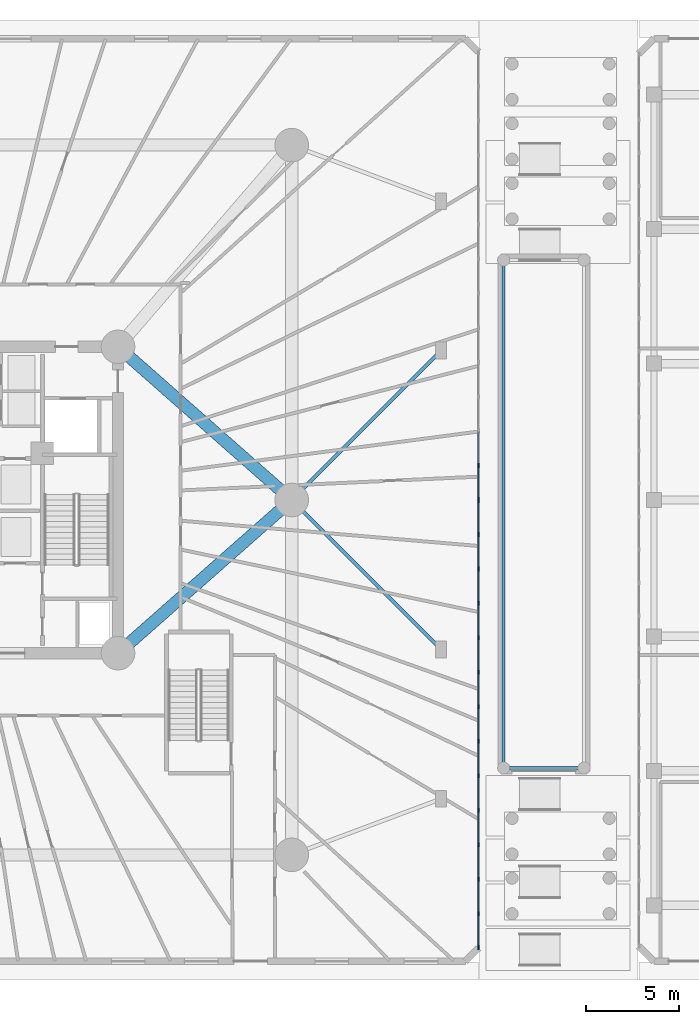
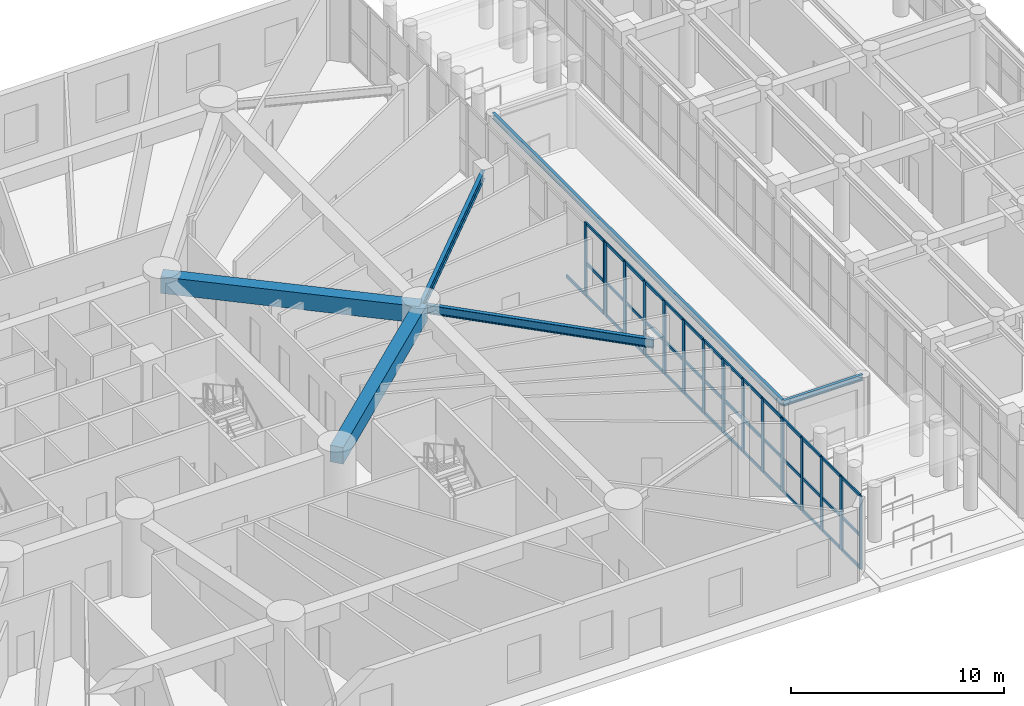
# One storey, part 2 of 30: 59 members, 6 beams, 2 elements without a shape of their own.
"""IFC4 building model written with IfcOpenShell, lengths in metres."""

from ifc_helpers import new_model, si_unit, direction, frame, origin, origin_with_axes, origin_2d, place, context, subcontext, project, spatial, rectangle, i_section, extrude, source, transform, mapped, material, layer, layer_set, material_profile, profile_set, type_object, element, aggregate, save


model = new_model("IFC4")

# Units and contexts
model_context = context("Model", 3, precision=1e-05, world=origin(), true_north=direction((0.0, 1.0)))
body_context = subcontext(model_context, "Body", "Model", "MODEL_VIEW")
ifc_project = project(units=[si_unit("LENGTHUNIT", "METRE"), si_unit("AREAUNIT", "SQUARE_METRE"), si_unit("VOLUMEUNIT", "CUBIC_METRE"), si_unit("PLANEANGLEUNIT", "RADIAN"), si_unit("MASSUNIT", "GRAM", prefix="KILO")], contexts=[model_context])

# Site, building, storey
site_placement = place(None, origin())
site = spatial("IfcSite", under=ifc_project, at=site_placement, CompositionType="ELEMENT")
building_placement = place(site_placement, origin())
building = spatial("IfcBuilding", under=site, at=building_placement, Name="Karkom Vertical University and Central Library", CompositionType="ELEMENT")
storey_placement = place(building_placement, origin())
storey = spatial("IfcBuildingStorey", under=building, at=storey_placement, Name="L00", CompositionType="ELEMENT", Elevation=0.0)

# Beams
ifc_material_1 = material(Name="Steel S355", Category="steel")
ifc_material_profile_1 = material_profile(ifc_material_1, i_section(OverallWidth=0.159912109375, OverallDepth=0.330078125, WebThickness=0.007568359375, FlangeThickness=0.011474609375, FilletRadius=0.01806640625, at=origin_2d()), Name="IPE 330")
ifc_profile_set_1 = profile_set([ifc_material_profile_1], Name="Steel S355")
beam_type_1 = type_object("IfcBeamType", Name="STR-BM-SB-IPE330", PredefinedType="BEAM", material=ifc_profile_set_1)
shared_shape_1 = source(origin_with_axes(), body_context, "Body", "SweptSolid", [
    extrude(i_section(OverallWidth=0.159912109375, OverallDepth=0.330078125, WebThickness=0.007568359375, FlangeThickness=0.011474609375, FilletRadius=0.01806640625, at=origin_2d()), origin(), (0.0, 0.0, 1.0), 4.300048828125),
])
beam_1_placement = place(storey_placement, frame((58.14990234375, 12.14990234375, 3.195068359375), z_axis=(1.0, 0.0, 0.0), x_axis=(0.0, 1.0, 0.0)))
element("IfcBeam", 1, at=beam_1_placement, inside=storey, type_object=beam_type_1, Name="Level 00 Ramp Pavilion Roof Beam 1", PredefinedType="BEAM", context=body_context, shape_type="MappedRepresentation", body=[
    mapped(shared_shape_1, transform((0.0, 0.0, 0.0), scale=1.0)),
])
shared_shape_2 = source(origin_with_axes(), body_context, "Body", "SweptSolid", [
    extrude(i_section(OverallWidth=0.159912109375, OverallDepth=0.330078125, WebThickness=0.007568359375, FlangeThickness=0.011474609375, FilletRadius=0.01806640625, at=origin_2d()), origin(), (0.0, 0.0, 1.0), 27.2001953125),
])
beam_2_placement = place(storey_placement, frame((58.14990234375, 39.35009765625, 3.195068359375), z_axis=(0.0, -1.0, 0.0), x_axis=(1.0, 0.0, 0.0)))
element("IfcBeam", 2, at=beam_2_placement, inside=storey, type_object=beam_type_1, Name="Level 00 Ramp Pavilion Roof Beam 4", PredefinedType="BEAM", context=body_context, shape_type="MappedRepresentation", body=[
    mapped(shared_shape_2, transform((0.0, 0.0, 0.0), scale=1.0)),
])
ifc_material_2 = material(Name="Concrete C50/60", Category="concrete")
ifc_material_profile_2 = material_profile(ifc_material_2, rectangle(XDim=0.64990234375, YDim=0.949951171875, at=origin_2d()), Name="RCG-650x950")
ifc_profile_set_2 = profile_set([ifc_material_profile_2], Name="Concrete C50/60")
beam_type_2 = type_object("IfcBeamType", Name="STR-BM-BG-1", PredefinedType="USERDEFINED", material=ifc_profile_set_2)
shared_shape_3 = source(origin_with_axes(), body_context, "Body", "SweptSolid", [
    extrude(rectangle(XDim=0.64990234375, YDim=0.949951171875, at=origin_2d()), origin(), (0.0, 0.0, 1.0), 12.398681640625),
])
for number, where, z_axis, x_axis, name in (
    (3, (46.800048828125, 26.5, 3.72509765625), (-0.75007685274, -0.661350674743, 0.0), (0.661350674743, -0.75007685274, 0.0), "Level 00 Podium Primary Girder 17"),
    (4, (46.800048828125, 26.5, 3.72509765625), (-0.75007685274, 0.661350674743, 0.0), (-0.661350674743, -0.75007685274, 0.0), "Level 00 Podium Primary Girder 18"),
):
    element("IfcBeam", number, at=place(storey_placement, frame(where, z_axis=z_axis, x_axis=x_axis)), inside=storey, type_object=beam_type_2, Name=name, ObjectType="GIRDER", PredefinedType="USERDEFINED", context=body_context, shape_type="MappedRepresentation", body=[
        mapped(shared_shape_3, transform((0.0, 0.0, 0.0), scale=1.0)),
    ])
ifc_material_profile_3 = material_profile(ifc_material_1, i_section(OverallWidth=0.199951171875, OverallDepth=0.5, WebThickness=0.01025390625, FlangeThickness=0.01611328125, FilletRadius=0.02099609375, at=origin_2d()), Name="IPE 500")
ifc_profile_set_3 = profile_set([ifc_material_profile_3], Name="Steel S355")
beam_type_3 = type_object("IfcBeamType", Name="STR-BM-SB-IPE500", PredefinedType="BEAM", material=ifc_profile_set_3)
shared_shape_4 = source(origin_with_axes(), body_context, "Body", "SweptSolid", [
    extrude(i_section(OverallWidth=0.199951171875, OverallDepth=0.5, WebThickness=0.01025390625, FlangeThickness=0.01611328125, FilletRadius=0.02099609375, at=origin_2d()), origin(), (0.0, 0.0, 1.0), 11.313720703125),
])
for number, where, z_axis, x_axis, name in (
    (5, (46.800048828125, 26.5, 3.949951171875), (0.707106781187, -0.707106781187, 0.0), (0.707106781187, 0.707106781187, 0.0), "Level 00 Arcade Tie Beam 2"),
    (6, (46.800048828125, 26.5, 3.949951171875), (0.707106781187, 0.707106781187, 0.0), (-0.707106781187, 0.707106781187, 0.0), "Level 00 Arcade Tie Beam 3"),
):
    element("IfcBeam", number, at=place(storey_placement, frame(where, z_axis=z_axis, x_axis=x_axis)), inside=storey, type_object=beam_type_3, Name=name, PredefinedType="BEAM", context=body_context, shape_type="MappedRepresentation", body=[
        mapped(shared_shape_4, transform((0.0, 0.0, 0.0), scale=1.0)),
    ])

# Curtain wall, members
ifc_material_3 = material(Name="Aluminium curtain-wall framing and low-E IGU", Category="aluminium")
ifc_layer = layer(ifc_material_3, 0.199951171875)
ifc_layer_set = layer_set([ifc_layer], Name="Aluminium curtain-wall framing and low-E IGU")
curtain_wall_type = type_object("IfcCurtainWallType", Name="ENV-CW-3", PredefinedType="USERDEFINED", material=ifc_layer_set)
curtain_wall_1_placement = place(storey_placement, origin())
curtain_wall_1 = element("IfcCurtainWall", 7, at=curtain_wall_1_placement, inside=storey, type_object=curtain_wall_type, Name="Level 00 CW-3 Curtain Wall L00-CW3-3-1", ObjectType="STICK MULLION GLAZING", PredefinedType="USERDEFINED")
ifc_material_4 = material(Name="Anodised Aluminium 6063-T6", Category="aluminium")
ifc_material_profile_4 = material_profile(ifc_material_4, rectangle(XDim=0.074951171875, YDim=0.219970703125, at=origin_2d()), Name="ALU-M75x220")
ifc_profile_set_4 = profile_set([ifc_material_profile_4], Name="Anodised Aluminium 6063-T6")
member_type_1 = type_object("IfcMemberType", Name="ENV-MEM-ALU-M75x220", PredefinedType="MULLION", material=ifc_profile_set_4)
shared_shape_5 = source(origin_with_axes(), body_context, "Body", "SweptSolid", [
    extrude(rectangle(XDim=0.074951171875, YDim=0.219970703125, at=origin_2d()), origin(), (0.0, 0.0, 1.0), 4.199951171875),
])
member_1_placement = place(storey_placement, frame((56.800048828125, 2.53759765625, 0.0), z_axis=(0.0, 0.0, 1.0), x_axis=(-1.0, 0.0, 0.0)))
member_1 = element("IfcMember", 8, at=member_1_placement, type_object=member_type_1, Name="CW-3 mullion 1", PredefinedType="MULLION", context=body_context, shape_type="MappedRepresentation", body=[
    mapped(shared_shape_5, transform((0.0, 0.0, 0.0), scale=1.0)),
])
member_2_placement = place(storey_placement, frame((56.800048828125, 4.34619140625, 0.0), z_axis=(0.0, 0.0, 1.0), x_axis=(-1.0, 0.0, 0.0)))
member_2 = element("IfcMember", 9, at=member_2_placement, type_object=member_type_1, Name="CW-3 mullion 2", PredefinedType="MULLION", context=body_context, shape_type="MappedRepresentation", body=[
    mapped(shared_shape_5, transform((0.0, 0.0, 0.0), scale=1.0)),
])
member_3_placement = place(storey_placement, frame((56.800048828125, 6.1923828125, 0.0), z_axis=(0.0, 0.0, 1.0), x_axis=(-1.0, 0.0, 0.0)))
member_3 = element("IfcMember", 10, at=member_3_placement, type_object=member_type_1, Name="CW-3 mullion 3", PredefinedType="MULLION", context=body_context, shape_type="MappedRepresentation", body=[
    mapped(shared_shape_5, transform((0.0, 0.0, 0.0), scale=1.0)),
])
member_4_placement = place(storey_placement, frame((56.800048828125, 8.03857421875, 0.0), z_axis=(0.0, 0.0, 1.0), x_axis=(-1.0, 0.0, 0.0)))
member_4 = element("IfcMember", 11, at=member_4_placement, type_object=member_type_1, Name="CW-3 mullion 4", PredefinedType="MULLION", context=body_context, shape_type="MappedRepresentation", body=[
    mapped(shared_shape_5, transform((0.0, 0.0, 0.0), scale=1.0)),
])
member_5_placement = place(storey_placement, frame((56.800048828125, 9.884521484375, 0.0), z_axis=(0.0, 0.0, 1.0), x_axis=(-1.0, 0.0, 0.0)))
member_5 = element("IfcMember", 12, at=member_5_placement, type_object=member_type_1, Name="CW-3 mullion 5", PredefinedType="MULLION", context=body_context, shape_type="MappedRepresentation", body=[
    mapped(shared_shape_5, transform((0.0, 0.0, 0.0), scale=1.0)),
])
member_6_placement = place(storey_placement, frame((56.800048828125, 11.730712890625, 0.0), z_axis=(0.0, 0.0, 1.0), x_axis=(-1.0, 0.0, 0.0)))
member_6 = element("IfcMember", 13, at=member_6_placement, type_object=member_type_1, Name="CW-3 mullion 6", PredefinedType="MULLION", context=body_context, shape_type="MappedRepresentation", body=[
    mapped(shared_shape_5, transform((0.0, 0.0, 0.0), scale=1.0)),
])
member_7_placement = place(storey_placement, frame((56.800048828125, 13.576904296875, 0.0), z_axis=(0.0, 0.0, 1.0), x_axis=(-1.0, 0.0, 0.0)))
member_7 = element("IfcMember", 14, at=member_7_placement, type_object=member_type_1, Name="CW-3 mullion 7", PredefinedType="MULLION", context=body_context, shape_type="MappedRepresentation", body=[
    mapped(shared_shape_5, transform((0.0, 0.0, 0.0), scale=1.0)),
])
member_8_placement = place(storey_placement, frame((56.800048828125, 15.423095703125, 0.0), z_axis=(0.0, 0.0, 1.0), x_axis=(-1.0, 0.0, 0.0)))
member_8 = element("IfcMember", 15, at=member_8_placement, type_object=member_type_1, Name="CW-3 mullion 8", PredefinedType="MULLION", context=body_context, shape_type="MappedRepresentation", body=[
    mapped(shared_shape_5, transform((0.0, 0.0, 0.0), scale=1.0)),
])
member_9_placement = place(storey_placement, frame((56.800048828125, 17.269287109375, 0.0), z_axis=(0.0, 0.0, 1.0), x_axis=(-1.0, 0.0, 0.0)))
member_9 = element("IfcMember", 16, at=member_9_placement, type_object=member_type_1, Name="CW-3 mullion 9", PredefinedType="MULLION", context=body_context, shape_type="MappedRepresentation", body=[
    mapped(shared_shape_5, transform((0.0, 0.0, 0.0), scale=1.0)),
])
member_10_placement = place(storey_placement, frame((56.800048828125, 19.115478515625, 0.0), z_axis=(0.0, 0.0, 1.0), x_axis=(-1.0, 0.0, 0.0)))
member_10 = element("IfcMember", 17, at=member_10_placement, type_object=member_type_1, Name="CW-3 mullion 10", PredefinedType="MULLION", context=body_context, shape_type="MappedRepresentation", body=[
    mapped(shared_shape_5, transform((0.0, 0.0, 0.0), scale=1.0)),
])
member_11_placement = place(storey_placement, frame((56.800048828125, 20.96142578125, 0.0), z_axis=(0.0, 0.0, 1.0), x_axis=(-1.0, 0.0, 0.0)))
member_11 = element("IfcMember", 18, at=member_11_placement, type_object=member_type_1, Name="CW-3 mullion 11", PredefinedType="MULLION", context=body_context, shape_type="MappedRepresentation", body=[
    mapped(shared_shape_5, transform((0.0, 0.0, 0.0), scale=1.0)),
])
member_12_placement = place(storey_placement, frame((56.800048828125, 22.8076171875, 0.0), z_axis=(0.0, 0.0, 1.0), x_axis=(-1.0, 0.0, 0.0)))
member_12 = element("IfcMember", 19, at=member_12_placement, type_object=member_type_1, Name="CW-3 mullion 12", PredefinedType="MULLION", context=body_context, shape_type="MappedRepresentation", body=[
    mapped(shared_shape_5, transform((0.0, 0.0, 0.0), scale=1.0)),
])
member_13_placement = place(storey_placement, frame((56.800048828125, 24.65380859375, 0.0), z_axis=(0.0, 0.0, 1.0), x_axis=(-1.0, 0.0, 0.0)))
member_13 = element("IfcMember", 20, at=member_13_placement, type_object=member_type_1, Name="CW-3 mullion 13", PredefinedType="MULLION", context=body_context, shape_type="MappedRepresentation", body=[
    mapped(shared_shape_5, transform((0.0, 0.0, 0.0), scale=1.0)),
])
member_14_placement = place(storey_placement, frame((56.800048828125, 26.46240234375, 0.0), z_axis=(0.0, 0.0, 1.0), x_axis=(-1.0, 0.0, 0.0)))
member_14 = element("IfcMember", 21, at=member_14_placement, type_object=member_type_1, Name="CW-3 mullion 14", PredefinedType="MULLION", context=body_context, shape_type="MappedRepresentation", body=[
    mapped(shared_shape_5, transform((0.0, 0.0, 0.0), scale=1.0)),
])

curtain_wall_2_placement = place(storey_placement, origin())
curtain_wall_2 = element("IfcCurtainWall", 22, at=curtain_wall_2_placement, inside=storey, type_object=curtain_wall_type, Name="Level 00 CW-3 Curtain Wall L00-CW3-3-2", ObjectType="STICK MULLION GLAZING", PredefinedType="USERDEFINED")
member_15_placement = place(storey_placement, frame((56.800048828125, 26.53759765625, 0.0), z_axis=(0.0, 0.0, 1.0), x_axis=(-1.0, 0.0, 0.0)))
member_15 = element("IfcMember", 23, at=member_15_placement, type_object=member_type_1, Name="CW-3 mullion 1", PredefinedType="MULLION", context=body_context, shape_type="MappedRepresentation", body=[
    mapped(shared_shape_5, transform((0.0, 0.0, 0.0), scale=1.0)),
])
member_16_placement = place(storey_placement, frame((56.800048828125, 28.34619140625, 0.0), z_axis=(0.0, 0.0, 1.0), x_axis=(-1.0, 0.0, 0.0)))
member_16 = element("IfcMember", 24, at=member_16_placement, type_object=member_type_1, Name="CW-3 mullion 2", PredefinedType="MULLION", context=body_context, shape_type="MappedRepresentation", body=[
    mapped(shared_shape_5, transform((0.0, 0.0, 0.0), scale=1.0)),
])

# Member
ifc_material_profile_5 = material_profile(ifc_material_4, rectangle(XDim=0.074951171875, YDim=0.1650390625, at=origin_2d()), Name="ALU-T75x165")
ifc_profile_set_5 = profile_set([ifc_material_profile_5], Name="Anodised Aluminium 6063-T6")
member_type_2 = type_object("IfcMemberType", Name="ENV-MEM-ALU-T75x165", PredefinedType="USERDEFINED", material=ifc_profile_set_5)
shared_shape_6 = source(origin_with_axes(), body_context, "Body", "SweptSolid", [
    extrude(rectangle(XDim=0.074951171875, YDim=0.1650390625, at=origin_2d()), origin(), (0.0, 0.0, 1.0), 1.733642578125),
])
member_17_placement = place(storey_placement, frame((56.800048828125, 2.574951171875, 0.03759765625), z_axis=(0.0, 1.0, 0.0), x_axis=(-1.0, 0.0, 0.0)))
member_17 = element("IfcMember", 25, at=member_17_placement, type_object=member_type_2, Name="CW-3 transom 1.1", ObjectType="TRANSOM", PredefinedType="USERDEFINED", context=body_context, shape_type="MappedRepresentation", body=[
    mapped(shared_shape_6, transform((0.0, 0.0, 0.0), scale=1.0)),
])

member_18_placement = place(storey_placement, frame((56.800048828125, 2.574951171875, 1.889892578125), z_axis=(0.0, 1.0, 0.0), x_axis=(-1.0, 0.0, 0.0)))
member_18 = element("IfcMember", 26, at=member_18_placement, type_object=member_type_2, Name="CW-3 transom 1.2", ObjectType="TRANSOM", PredefinedType="USERDEFINED", context=body_context, shape_type="MappedRepresentation", body=[
    mapped(shared_shape_6, transform((0.0, 0.0, 0.0), scale=1.0)),
])

member_19_placement = place(storey_placement, frame((56.800048828125, 2.574951171875, 4.16259765625), z_axis=(0.0, 1.0, 0.0), x_axis=(-1.0, 0.0, 0.0)))
member_19 = element("IfcMember", 27, at=member_19_placement, type_object=member_type_2, Name="CW-3 transom 1.3", ObjectType="TRANSOM", PredefinedType="USERDEFINED", context=body_context, shape_type="MappedRepresentation", body=[
    mapped(shared_shape_6, transform((0.0, 0.0, 0.0), scale=1.0)),
])

member_20_placement = place(storey_placement, frame((56.800048828125, 24.69140625, 0.03759765625), z_axis=(0.0, 1.0, 0.0), x_axis=(-1.0, 0.0, 0.0)))
member_20 = element("IfcMember", 28, at=member_20_placement, type_object=member_type_2, Name="CW-3 transom 13.1", ObjectType="TRANSOM", PredefinedType="USERDEFINED", context=body_context, shape_type="MappedRepresentation", body=[
    mapped(shared_shape_6, transform((0.0, 0.0, 0.0), scale=1.0)),
])

member_21_placement = place(storey_placement, frame((56.800048828125, 24.69140625, 1.889892578125), z_axis=(0.0, 1.0, 0.0), x_axis=(-1.0, 0.0, 0.0)))
member_21 = element("IfcMember", 29, at=member_21_placement, type_object=member_type_2, Name="CW-3 transom 13.2", ObjectType="TRANSOM", PredefinedType="USERDEFINED", context=body_context, shape_type="MappedRepresentation", body=[
    mapped(shared_shape_6, transform((0.0, 0.0, 0.0), scale=1.0)),
])

member_22_placement = place(storey_placement, frame((56.800048828125, 24.69140625, 4.16259765625), z_axis=(0.0, 1.0, 0.0), x_axis=(-1.0, 0.0, 0.0)))
member_22 = element("IfcMember", 30, at=member_22_placement, type_object=member_type_2, Name="CW-3 transom 13.3", ObjectType="TRANSOM", PredefinedType="USERDEFINED", context=body_context, shape_type="MappedRepresentation", body=[
    mapped(shared_shape_6, transform((0.0, 0.0, 0.0), scale=1.0)),
])

member_23_placement = place(storey_placement, frame((56.800048828125, 26.574951171875, 0.03759765625), z_axis=(0.0, 1.0, 0.0), x_axis=(-1.0, 0.0, 0.0)))
member_23 = element("IfcMember", 31, at=member_23_placement, type_object=member_type_2, Name="CW-3 transom 1.1", ObjectType="TRANSOM", PredefinedType="USERDEFINED", context=body_context, shape_type="MappedRepresentation", body=[
    mapped(shared_shape_6, transform((0.0, 0.0, 0.0), scale=1.0)),
])

member_24_placement = place(storey_placement, frame((56.800048828125, 26.574951171875, 1.889892578125), z_axis=(0.0, 1.0, 0.0), x_axis=(-1.0, 0.0, 0.0)))
member_24 = element("IfcMember", 32, at=member_24_placement, type_object=member_type_2, Name="CW-3 transom 1.2", ObjectType="TRANSOM", PredefinedType="USERDEFINED", context=body_context, shape_type="MappedRepresentation", body=[
    mapped(shared_shape_6, transform((0.0, 0.0, 0.0), scale=1.0)),
])

member_25_placement = place(storey_placement, frame((56.800048828125, 26.574951171875, 4.16259765625), z_axis=(0.0, 1.0, 0.0), x_axis=(-1.0, 0.0, 0.0)))
member_25 = element("IfcMember", 33, at=member_25_placement, type_object=member_type_2, Name="CW-3 transom 1.3", ObjectType="TRANSOM", PredefinedType="USERDEFINED", context=body_context, shape_type="MappedRepresentation", body=[
    mapped(shared_shape_6, transform((0.0, 0.0, 0.0), scale=1.0)),
])

shared_shape_7 = source(origin_with_axes(), body_context, "Body", "SweptSolid", [
    extrude(rectangle(XDim=0.074951171875, YDim=0.1650390625, at=origin_2d()), origin(), (0.0, 0.0, 1.0), 1.771240234375),
])
member_26_placement = place(storey_placement, frame((56.800048828125, 4.383544921875, 0.03759765625), z_axis=(0.0, 1.0, 0.0), x_axis=(-1.0, 0.0, 0.0)))
member_26 = element("IfcMember", 34, at=member_26_placement, type_object=member_type_2, Name="CW-3 transom 2.1", ObjectType="TRANSOM", PredefinedType="USERDEFINED", context=body_context, shape_type="MappedRepresentation", body=[
    mapped(shared_shape_7, transform((0.0, 0.0, 0.0), scale=1.0)),
])

member_27_placement = place(storey_placement, frame((56.800048828125, 4.383544921875, 1.889892578125), z_axis=(0.0, 1.0, 0.0), x_axis=(-1.0, 0.0, 0.0)))
member_27 = element("IfcMember", 35, at=member_27_placement, type_object=member_type_2, Name="CW-3 transom 2.2", ObjectType="TRANSOM", PredefinedType="USERDEFINED", context=body_context, shape_type="MappedRepresentation", body=[
    mapped(shared_shape_7, transform((0.0, 0.0, 0.0), scale=1.0)),
])

member_28_placement = place(storey_placement, frame((56.800048828125, 4.383544921875, 4.16259765625), z_axis=(0.0, 1.0, 0.0), x_axis=(-1.0, 0.0, 0.0)))
member_28 = element("IfcMember", 36, at=member_28_placement, type_object=member_type_2, Name="CW-3 transom 2.3", ObjectType="TRANSOM", PredefinedType="USERDEFINED", context=body_context, shape_type="MappedRepresentation", body=[
    mapped(shared_shape_7, transform((0.0, 0.0, 0.0), scale=1.0)),
])

member_29_placement = place(storey_placement, frame((56.800048828125, 6.229736328125, 0.03759765625), z_axis=(0.0, 1.0, 0.0), x_axis=(-1.0, 0.0, 0.0)))
member_29 = element("IfcMember", 37, at=member_29_placement, type_object=member_type_2, Name="CW-3 transom 3.1", ObjectType="TRANSOM", PredefinedType="USERDEFINED", context=body_context, shape_type="MappedRepresentation", body=[
    mapped(shared_shape_7, transform((0.0, 0.0, 0.0), scale=1.0)),
])

member_30_placement = place(storey_placement, frame((56.800048828125, 6.229736328125, 1.889892578125), z_axis=(0.0, 1.0, 0.0), x_axis=(-1.0, 0.0, 0.0)))
member_30 = element("IfcMember", 38, at=member_30_placement, type_object=member_type_2, Name="CW-3 transom 3.2", ObjectType="TRANSOM", PredefinedType="USERDEFINED", context=body_context, shape_type="MappedRepresentation", body=[
    mapped(shared_shape_7, transform((0.0, 0.0, 0.0), scale=1.0)),
])

member_31_placement = place(storey_placement, frame((56.800048828125, 6.229736328125, 4.16259765625), z_axis=(0.0, 1.0, 0.0), x_axis=(-1.0, 0.0, 0.0)))
member_31 = element("IfcMember", 39, at=member_31_placement, type_object=member_type_2, Name="CW-3 transom 3.3", ObjectType="TRANSOM", PredefinedType="USERDEFINED", context=body_context, shape_type="MappedRepresentation", body=[
    mapped(shared_shape_7, transform((0.0, 0.0, 0.0), scale=1.0)),
])

member_32_placement = place(storey_placement, frame((56.800048828125, 8.075927734375, 0.03759765625), z_axis=(0.0, 1.0, 0.0), x_axis=(-1.0, 0.0, 0.0)))
member_32 = element("IfcMember", 40, at=member_32_placement, type_object=member_type_2, Name="CW-3 transom 4.1", ObjectType="TRANSOM", PredefinedType="USERDEFINED", context=body_context, shape_type="MappedRepresentation", body=[
    mapped(shared_shape_7, transform((0.0, 0.0, 0.0), scale=1.0)),
])

member_33_placement = place(storey_placement, frame((56.800048828125, 8.075927734375, 1.889892578125), z_axis=(0.0, 1.0, 0.0), x_axis=(-1.0, 0.0, 0.0)))
member_33 = element("IfcMember", 41, at=member_33_placement, type_object=member_type_2, Name="CW-3 transom 4.2", ObjectType="TRANSOM", PredefinedType="USERDEFINED", context=body_context, shape_type="MappedRepresentation", body=[
    mapped(shared_shape_7, transform((0.0, 0.0, 0.0), scale=1.0)),
])

member_34_placement = place(storey_placement, frame((56.800048828125, 8.075927734375, 4.16259765625), z_axis=(0.0, 1.0, 0.0), x_axis=(-1.0, 0.0, 0.0)))
member_34 = element("IfcMember", 42, at=member_34_placement, type_object=member_type_2, Name="CW-3 transom 4.3", ObjectType="TRANSOM", PredefinedType="USERDEFINED", context=body_context, shape_type="MappedRepresentation", body=[
    mapped(shared_shape_7, transform((0.0, 0.0, 0.0), scale=1.0)),
])

member_35_placement = place(storey_placement, frame((56.800048828125, 9.922119140625, 0.03759765625), z_axis=(0.0, 1.0, 0.0), x_axis=(-1.0, 0.0, 0.0)))
member_35 = element("IfcMember", 43, at=member_35_placement, type_object=member_type_2, Name="CW-3 transom 5.1", ObjectType="TRANSOM", PredefinedType="USERDEFINED", context=body_context, shape_type="MappedRepresentation", body=[
    mapped(shared_shape_7, transform((0.0, 0.0, 0.0), scale=1.0)),
])

member_36_placement = place(storey_placement, frame((56.800048828125, 9.922119140625, 1.889892578125), z_axis=(0.0, 1.0, 0.0), x_axis=(-1.0, 0.0, 0.0)))
member_36 = element("IfcMember", 44, at=member_36_placement, type_object=member_type_2, Name="CW-3 transom 5.2", ObjectType="TRANSOM", PredefinedType="USERDEFINED", context=body_context, shape_type="MappedRepresentation", body=[
    mapped(shared_shape_7, transform((0.0, 0.0, 0.0), scale=1.0)),
])

member_37_placement = place(storey_placement, frame((56.800048828125, 9.922119140625, 4.16259765625), z_axis=(0.0, 1.0, 0.0), x_axis=(-1.0, 0.0, 0.0)))
member_37 = element("IfcMember", 45, at=member_37_placement, type_object=member_type_2, Name="CW-3 transom 5.3", ObjectType="TRANSOM", PredefinedType="USERDEFINED", context=body_context, shape_type="MappedRepresentation", body=[
    mapped(shared_shape_7, transform((0.0, 0.0, 0.0), scale=1.0)),
])

member_38_placement = place(storey_placement, frame((56.800048828125, 17.306640625, 0.03759765625), z_axis=(0.0, 1.0, 0.0), x_axis=(-1.0, 0.0, 0.0)))
member_38 = element("IfcMember", 46, at=member_38_placement, type_object=member_type_2, Name="CW-3 transom 9.1", ObjectType="TRANSOM", PredefinedType="USERDEFINED", context=body_context, shape_type="MappedRepresentation", body=[
    mapped(shared_shape_7, transform((0.0, 0.0, 0.0), scale=1.0)),
])

member_39_placement = place(storey_placement, frame((56.800048828125, 17.306640625, 1.889892578125), z_axis=(0.0, 1.0, 0.0), x_axis=(-1.0, 0.0, 0.0)))
member_39 = element("IfcMember", 47, at=member_39_placement, type_object=member_type_2, Name="CW-3 transom 9.2", ObjectType="TRANSOM", PredefinedType="USERDEFINED", context=body_context, shape_type="MappedRepresentation", body=[
    mapped(shared_shape_7, transform((0.0, 0.0, 0.0), scale=1.0)),
])

member_40_placement = place(storey_placement, frame((56.800048828125, 17.306640625, 4.16259765625), z_axis=(0.0, 1.0, 0.0), x_axis=(-1.0, 0.0, 0.0)))
member_40 = element("IfcMember", 48, at=member_40_placement, type_object=member_type_2, Name="CW-3 transom 9.3", ObjectType="TRANSOM", PredefinedType="USERDEFINED", context=body_context, shape_type="MappedRepresentation", body=[
    mapped(shared_shape_7, transform((0.0, 0.0, 0.0), scale=1.0)),
])

member_41_placement = place(storey_placement, frame((56.800048828125, 19.15283203125, 0.03759765625), z_axis=(0.0, 1.0, 0.0), x_axis=(-1.0, 0.0, 0.0)))
member_41 = element("IfcMember", 49, at=member_41_placement, type_object=member_type_2, Name="CW-3 transom 10.1", ObjectType="TRANSOM", PredefinedType="USERDEFINED", context=body_context, shape_type="MappedRepresentation", body=[
    mapped(shared_shape_7, transform((0.0, 0.0, 0.0), scale=1.0)),
])

member_42_placement = place(storey_placement, frame((56.800048828125, 19.15283203125, 1.889892578125), z_axis=(0.0, 1.0, 0.0), x_axis=(-1.0, 0.0, 0.0)))
member_42 = element("IfcMember", 50, at=member_42_placement, type_object=member_type_2, Name="CW-3 transom 10.2", ObjectType="TRANSOM", PredefinedType="USERDEFINED", context=body_context, shape_type="MappedRepresentation", body=[
    mapped(shared_shape_7, transform((0.0, 0.0, 0.0), scale=1.0)),
])

member_43_placement = place(storey_placement, frame((56.800048828125, 19.15283203125, 4.16259765625), z_axis=(0.0, 1.0, 0.0), x_axis=(-1.0, 0.0, 0.0)))
member_43 = element("IfcMember", 51, at=member_43_placement, type_object=member_type_2, Name="CW-3 transom 10.3", ObjectType="TRANSOM", PredefinedType="USERDEFINED", context=body_context, shape_type="MappedRepresentation", body=[
    mapped(shared_shape_7, transform((0.0, 0.0, 0.0), scale=1.0)),
])

member_44_placement = place(storey_placement, frame((56.800048828125, 20.9990234375, 0.03759765625), z_axis=(0.0, 1.0, 0.0), x_axis=(-1.0, 0.0, 0.0)))
member_44 = element("IfcMember", 52, at=member_44_placement, type_object=member_type_2, Name="CW-3 transom 11.1", ObjectType="TRANSOM", PredefinedType="USERDEFINED", context=body_context, shape_type="MappedRepresentation", body=[
    mapped(shared_shape_7, transform((0.0, 0.0, 0.0), scale=1.0)),
])

member_45_placement = place(storey_placement, frame((56.800048828125, 20.9990234375, 1.889892578125), z_axis=(0.0, 1.0, 0.0), x_axis=(-1.0, 0.0, 0.0)))
member_45 = element("IfcMember", 53, at=member_45_placement, type_object=member_type_2, Name="CW-3 transom 11.2", ObjectType="TRANSOM", PredefinedType="USERDEFINED", context=body_context, shape_type="MappedRepresentation", body=[
    mapped(shared_shape_7, transform((0.0, 0.0, 0.0), scale=1.0)),
])

member_46_placement = place(storey_placement, frame((56.800048828125, 20.9990234375, 4.16259765625), z_axis=(0.0, 1.0, 0.0), x_axis=(-1.0, 0.0, 0.0)))
member_46 = element("IfcMember", 54, at=member_46_placement, type_object=member_type_2, Name="CW-3 transom 11.3", ObjectType="TRANSOM", PredefinedType="USERDEFINED", context=body_context, shape_type="MappedRepresentation", body=[
    mapped(shared_shape_7, transform((0.0, 0.0, 0.0), scale=1.0)),
])

member_47_placement = place(storey_placement, frame((56.800048828125, 22.84521484375, 0.03759765625), z_axis=(0.0, 1.0, 0.0), x_axis=(-1.0, 0.0, 0.0)))
member_47 = element("IfcMember", 55, at=member_47_placement, type_object=member_type_2, Name="CW-3 transom 12.1", ObjectType="TRANSOM", PredefinedType="USERDEFINED", context=body_context, shape_type="MappedRepresentation", body=[
    mapped(shared_shape_7, transform((0.0, 0.0, 0.0), scale=1.0)),
])

member_48_placement = place(storey_placement, frame((56.800048828125, 22.84521484375, 1.889892578125), z_axis=(0.0, 1.0, 0.0), x_axis=(-1.0, 0.0, 0.0)))
member_48 = element("IfcMember", 56, at=member_48_placement, type_object=member_type_2, Name="CW-3 transom 12.2", ObjectType="TRANSOM", PredefinedType="USERDEFINED", context=body_context, shape_type="MappedRepresentation", body=[
    mapped(shared_shape_7, transform((0.0, 0.0, 0.0), scale=1.0)),
])

member_49_placement = place(storey_placement, frame((56.800048828125, 22.84521484375, 4.16259765625), z_axis=(0.0, 1.0, 0.0), x_axis=(-1.0, 0.0, 0.0)))
member_49 = element("IfcMember", 57, at=member_49_placement, type_object=member_type_2, Name="CW-3 transom 12.3", ObjectType="TRANSOM", PredefinedType="USERDEFINED", context=body_context, shape_type="MappedRepresentation", body=[
    mapped(shared_shape_7, transform((0.0, 0.0, 0.0), scale=1.0)),
])

member_50_placement = place(storey_placement, frame((56.800048828125, 28.383544921875, 0.03759765625), z_axis=(0.0, 1.0, 0.0), x_axis=(-1.0, 0.0, 0.0)))
member_50 = element("IfcMember", 58, at=member_50_placement, type_object=member_type_2, Name="CW-3 transom 2.1", ObjectType="TRANSOM", PredefinedType="USERDEFINED", context=body_context, shape_type="MappedRepresentation", body=[
    mapped(shared_shape_7, transform((0.0, 0.0, 0.0), scale=1.0)),
])

aggregate(curtain_wall_2, [member_15, member_16, member_23, member_24, member_25, member_50])

shared_shape_8 = source(origin_with_axes(), body_context, "Body", "SweptSolid", [
    extrude(rectangle(XDim=0.074951171875, YDim=0.1650390625, at=origin_2d()), origin(), (0.0, 0.0, 1.0), 1.77099609375),
])
member_51_placement = place(storey_placement, frame((56.800048828125, 11.768310546875, 0.03759765625), z_axis=(0.0, 1.0, 0.0), x_axis=(-1.0, 0.0, 0.0)))
member_51 = element("IfcMember", 59, at=member_51_placement, type_object=member_type_2, Name="CW-3 transom 6.1", ObjectType="TRANSOM", PredefinedType="USERDEFINED", context=body_context, shape_type="MappedRepresentation", body=[
    mapped(shared_shape_8, transform((0.0, 0.0, 0.0), scale=1.0)),
])

member_52_placement = place(storey_placement, frame((56.800048828125, 11.768310546875, 1.889892578125), z_axis=(0.0, 1.0, 0.0), x_axis=(-1.0, 0.0, 0.0)))
member_52 = element("IfcMember", 60, at=member_52_placement, type_object=member_type_2, Name="CW-3 transom 6.2", ObjectType="TRANSOM", PredefinedType="USERDEFINED", context=body_context, shape_type="MappedRepresentation", body=[
    mapped(shared_shape_8, transform((0.0, 0.0, 0.0), scale=1.0)),
])

member_53_placement = place(storey_placement, frame((56.800048828125, 11.768310546875, 4.16259765625), z_axis=(0.0, 1.0, 0.0), x_axis=(-1.0, 0.0, 0.0)))
member_53 = element("IfcMember", 61, at=member_53_placement, type_object=member_type_2, Name="CW-3 transom 6.3", ObjectType="TRANSOM", PredefinedType="USERDEFINED", context=body_context, shape_type="MappedRepresentation", body=[
    mapped(shared_shape_8, transform((0.0, 0.0, 0.0), scale=1.0)),
])

member_54_placement = place(storey_placement, frame((56.800048828125, 13.614501953125, 0.03759765625), z_axis=(0.0, 1.0, 0.0), x_axis=(-1.0, 0.0, 0.0)))
member_54 = element("IfcMember", 62, at=member_54_placement, type_object=member_type_2, Name="CW-3 transom 7.1", ObjectType="TRANSOM", PredefinedType="USERDEFINED", context=body_context, shape_type="MappedRepresentation", body=[
    mapped(shared_shape_8, transform((0.0, 0.0, 0.0), scale=1.0)),
])

member_55_placement = place(storey_placement, frame((56.800048828125, 13.614501953125, 1.889892578125), z_axis=(0.0, 1.0, 0.0), x_axis=(-1.0, 0.0, 0.0)))
member_55 = element("IfcMember", 63, at=member_55_placement, type_object=member_type_2, Name="CW-3 transom 7.2", ObjectType="TRANSOM", PredefinedType="USERDEFINED", context=body_context, shape_type="MappedRepresentation", body=[
    mapped(shared_shape_8, transform((0.0, 0.0, 0.0), scale=1.0)),
])

member_56_placement = place(storey_placement, frame((56.800048828125, 13.614501953125, 4.16259765625), z_axis=(0.0, 1.0, 0.0), x_axis=(-1.0, 0.0, 0.0)))
member_56 = element("IfcMember", 64, at=member_56_placement, type_object=member_type_2, Name="CW-3 transom 7.3", ObjectType="TRANSOM", PredefinedType="USERDEFINED", context=body_context, shape_type="MappedRepresentation", body=[
    mapped(shared_shape_8, transform((0.0, 0.0, 0.0), scale=1.0)),
])

member_57_placement = place(storey_placement, frame((56.800048828125, 15.460693359375, 0.03759765625), z_axis=(0.0, 1.0, 0.0), x_axis=(-1.0, 0.0, 0.0)))
member_57 = element("IfcMember", 65, at=member_57_placement, type_object=member_type_2, Name="CW-3 transom 8.1", ObjectType="TRANSOM", PredefinedType="USERDEFINED", context=body_context, shape_type="MappedRepresentation", body=[
    mapped(shared_shape_8, transform((0.0, 0.0, 0.0), scale=1.0)),
])

member_58_placement = place(storey_placement, frame((56.800048828125, 15.460693359375, 1.889892578125), z_axis=(0.0, 1.0, 0.0), x_axis=(-1.0, 0.0, 0.0)))
member_58 = element("IfcMember", 66, at=member_58_placement, type_object=member_type_2, Name="CW-3 transom 8.2", ObjectType="TRANSOM", PredefinedType="USERDEFINED", context=body_context, shape_type="MappedRepresentation", body=[
    mapped(shared_shape_8, transform((0.0, 0.0, 0.0), scale=1.0)),
])

member_59_placement = place(storey_placement, frame((56.800048828125, 15.460693359375, 4.16259765625), z_axis=(0.0, 1.0, 0.0), x_axis=(-1.0, 0.0, 0.0)))
member_59 = element("IfcMember", 67, at=member_59_placement, type_object=member_type_2, Name="CW-3 transom 8.3", ObjectType="TRANSOM", PredefinedType="USERDEFINED", context=body_context, shape_type="MappedRepresentation", body=[
    mapped(shared_shape_8, transform((0.0, 0.0, 0.0), scale=1.0)),
])

aggregate(curtain_wall_1, [member_1, member_2, member_3, member_4, member_5, member_6, member_7, member_8, member_9, member_10, member_11, member_12, member_13, member_14, member_17, member_18, member_19, member_26, member_27, member_28, member_29, member_30, member_31, member_32, member_33, member_34, member_35, member_36, member_37, member_51, member_52, member_53, member_54, member_55, member_56, member_57, member_58, member_59, member_38, member_39, member_40, member_41, member_42, member_43, member_44, member_45, member_46, member_47, member_48, member_49, member_20, member_21, member_22])

save(model, "model.ifc")
